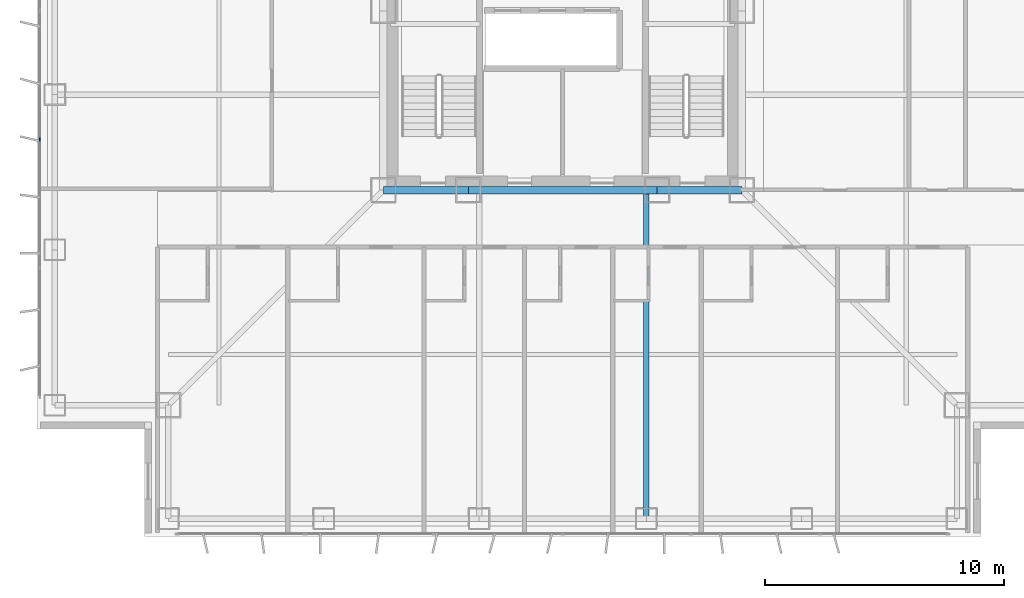
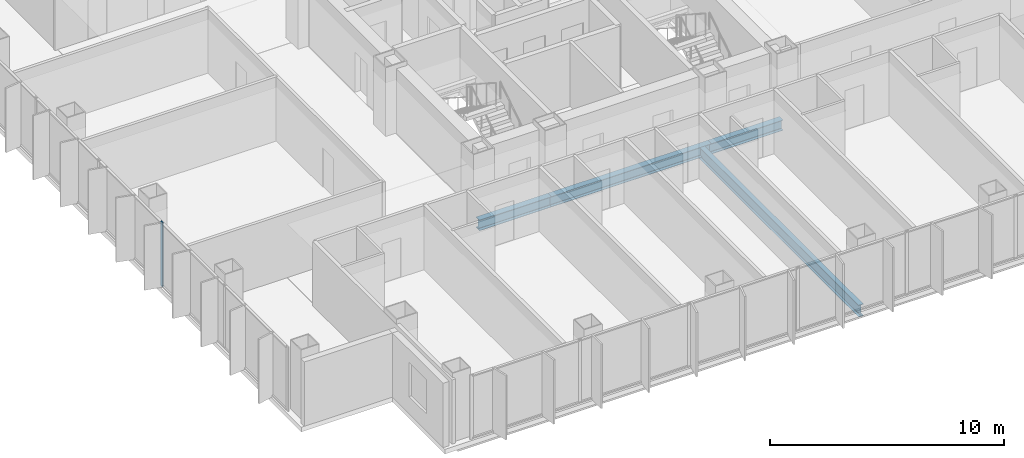
# One storey, part 4 of 18: 4 beams, 1 member, 1 element without a shape of its own.
"""IFC4 building model written with IfcOpenShell, lengths in metres."""

from ifc_helpers import new_model, si_unit, direction, frame, origin, origin_2d, place, context, subcontext, project, spatial, rectangle, i_section, extrude, material, layer, layer_set, material_profile, profile_set, type_object, element, aggregate, save


model = new_model("IFC4")

# Units and contexts
model_context = context("Model", 3, precision=1e-05, world=origin(), true_north=direction((0.0, 1.0)))
body_context = subcontext(model_context, "Body", "Model", "MODEL_VIEW")
ifc_project = project(units=[si_unit("LENGTHUNIT", "METRE"), si_unit("AREAUNIT", "SQUARE_METRE"), si_unit("VOLUMEUNIT", "CUBIC_METRE"), si_unit("PLANEANGLEUNIT", "RADIAN"), si_unit("MASSUNIT", "GRAM", prefix="KILO")], contexts=[model_context])

# Site, building, storey
site_placement = place(None, origin())
site = spatial("IfcSite", under=ifc_project, at=site_placement, CompositionType="ELEMENT")
building_placement = place(site_placement, origin())
building = spatial("IfcBuilding", under=site, at=building_placement, Name="Trevonay Congress Spire", CompositionType="ELEMENT")
storey_placement = place(building_placement, frame((0.0, 0.0, 148.0)))
storey = spatial("IfcBuildingStorey", under=building, at=storey_placement, Name="L38", CompositionType="ELEMENT", Elevation=148.0)

# Beams
ifc_material_1 = material(Name="Steel ASTM A572 Grade 50", Category="steel")
ifc_material_profile_1 = material_profile(ifc_material_1, i_section(OverallWidth=0.31201171875, OverallDepth=0.54296875, WebThickness=0.0126953125, FlangeThickness=0.020263671875, FilletRadius=0.014892578125, at=origin_2d()), Name="W530x150")
ifc_profile_set_1 = profile_set([ifc_material_profile_1], Name="Steel ASTM A572 Grade 50")
beam_type_1 = type_object("IfcBeamType", Name="BM-GIRD-W530X150", PredefinedType="BEAM", material=ifc_profile_set_1)
beam_1_placement = place(storey_placement, frame((-7.5, -7.5, -0.511474609375), z_axis=(1.0, 0.0, 0.0), x_axis=(0.0, 1.0, 0.0)))
element("IfcBeam", 1, at=beam_1_placement, inside=storey, type_object=beam_type_1, Name="L38 structural beam BM-L38-CR-S1", PredefinedType="BEAM", context=body_context, shape_type="SweptSolid", body=[
    extrude(i_section(OverallWidth=0.31201171875, OverallDepth=0.54296875, WebThickness=0.0126953125, FlangeThickness=0.020263671875, FilletRadius=0.014892578125, at=origin_2d()), origin(), (0.0, 0.0, 1.0), 3.550048828125),
])
beam_2_placement = place(storey_placement, frame((-3.949951171875, -7.5, -0.511474609375), z_axis=(1.0, 0.0, 0.0), x_axis=(0.0, 1.0, 0.0)))
element("IfcBeam", 2, at=beam_2_placement, inside=storey, type_object=beam_type_1, Name="L38 structural beam BM-L38-CR-S2", PredefinedType="BEAM", context=body_context, shape_type="SweptSolid", body=[
    extrude(i_section(OverallWidth=0.31201171875, OverallDepth=0.54296875, WebThickness=0.0126953125, FlangeThickness=0.020263671875, FilletRadius=0.014892578125, at=origin_2d()), origin(), (0.0, 0.0, 1.0), 7.89990234375),
])
beam_3_placement = place(storey_placement, frame((3.949951171875, -7.5, -0.511474609375), z_axis=(1.0, 0.0, 0.0), x_axis=(0.0, 1.0, 0.0)))
element("IfcBeam", 3, at=beam_3_placement, inside=storey, type_object=beam_type_1, Name="L38 structural beam BM-L38-CR-S3", PredefinedType="BEAM", context=body_context, shape_type="SweptSolid", body=[
    extrude(i_section(OverallWidth=0.31201171875, OverallDepth=0.54296875, WebThickness=0.0126953125, FlangeThickness=0.020263671875, FilletRadius=0.014892578125, at=origin_2d()), origin(), (0.0, 0.0, 1.0), 3.550048828125),
])
ifc_material_profile_2 = material_profile(ifc_material_1, i_section(OverallWidth=0.22998046875, OverallDepth=0.616943359375, WebThickness=0.01318359375, FlangeThickness=0.022216796875, FilletRadius=0.01611328125, at=origin_2d()), Name="W610x140")
ifc_profile_set_2 = profile_set([ifc_material_profile_2], Name="Steel ASTM A572 Grade 50")
beam_type_2 = type_object("IfcBeamType", Name="BM-GIRD-W610X140", PredefinedType="BEAM", material=ifc_profile_set_2)
beam_4_placement = place(storey_placement, frame((3.5, -7.5, -0.548583984375), z_axis=(0.0, -1.0, 0.0), x_axis=(1.0, 0.0, 0.0)))
element("IfcBeam", 4, at=beam_4_placement, inside=storey, type_object=beam_type_2, Name="L38 structural beam BM-L38-GS-P", PredefinedType="BEAM", context=body_context, shape_type="SweptSolid", body=[
    extrude(i_section(OverallWidth=0.22998046875, OverallDepth=0.616943359375, WebThickness=0.01318359375, FlangeThickness=0.022216796875, FilletRadius=0.01611328125, at=origin_2d()), origin(), (0.0, 0.0, 1.0), 13.75),
])

# Curtain wall, member
ifc_material_2 = material(Name="Pale Anodised Aluminium EN AW-6063-T6", Category="aluminium")
ifc_layer = layer(ifc_material_2, 0.175048828125, Name="Pale Anodised Aluminium EN AW-6063-T6")
ifc_layer_set = layer_set([ifc_layer], Name="Pale Anodised Aluminium EN AW-6063-T6")
curtain_wall_type = type_object("IfcCurtainWallType", Name="CW-SYS03-CONGRESS-PALE-METAL", PredefinedType="NOTDEFINED", material=ifc_layer_set)
curtain_wall_placement = place(storey_placement, origin())
curtain_wall = element("IfcCurtainWall", 5, at=curtain_wall_placement, inside=storey, type_object=curtain_wall_type, Name="L38 W unitised curtain wall", PredefinedType="NOTDEFINED")
ifc_material_profile_3 = material_profile(ifc_material_2, rectangle(XDim=0.06005859375, YDim=0.159912109375, at=origin_2d()), Name="CW-MULLION-160-ALUMINIUM")
ifc_profile_set_3 = profile_set([ifc_material_profile_3], Name="Pale Anodised Aluminium EN AW-6063-T6")
member_type = type_object("IfcMemberType", Name="CW-MULLION-160-ALUMINIUM", PredefinedType="MULLION", material=ifc_profile_set_3)
member_placement = place(storey_placement, frame((-21.8798828125, -5.38330078125, 0.0), z_axis=(0.0, 0.0, 1.0), x_axis=(-1.0, 0.0, 0.0)))
member = element("IfcMember", 6, at=member_placement, type_object=member_type, Name="CW03 mullion 3", PredefinedType="MULLION", context=body_context, shape_type="SweptSolid", body=[
    extrude(rectangle(XDim=0.06005859375, YDim=0.159912109375, at=origin_2d()), origin(), (0.0, 0.0, 1.0), 3.360107421875),
])
aggregate(curtain_wall, [member])

save(model, "model.ifc")
